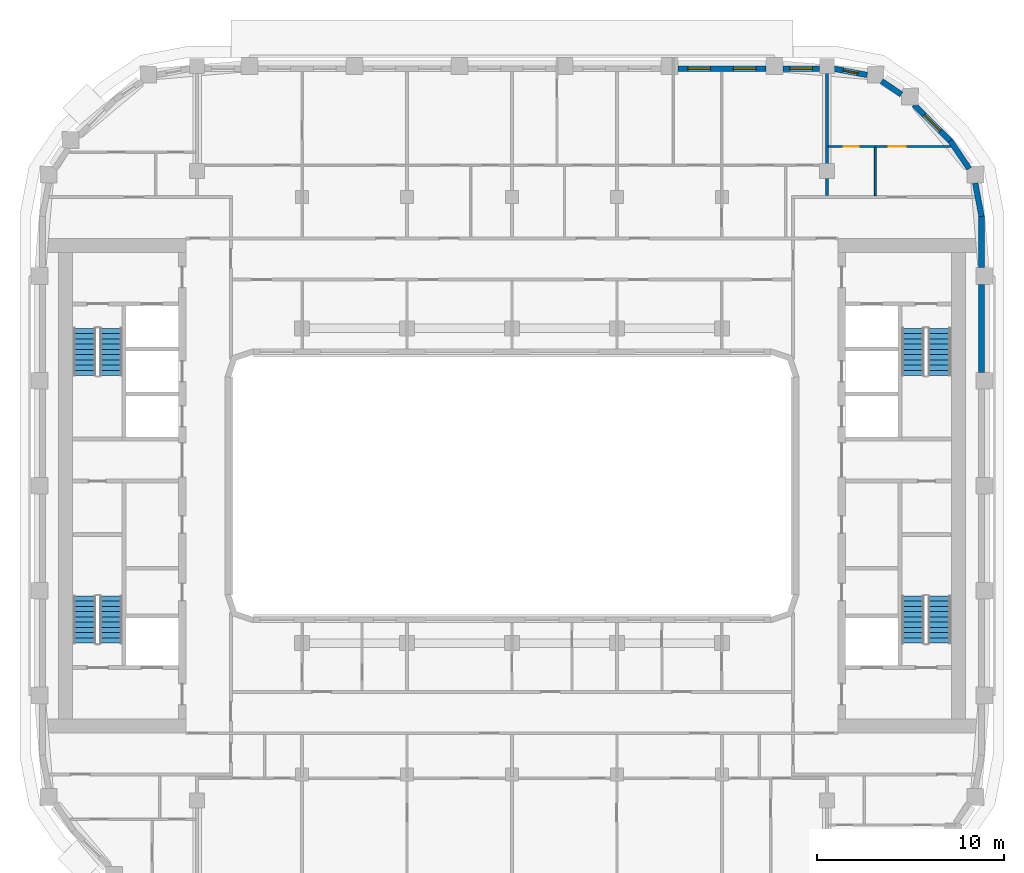
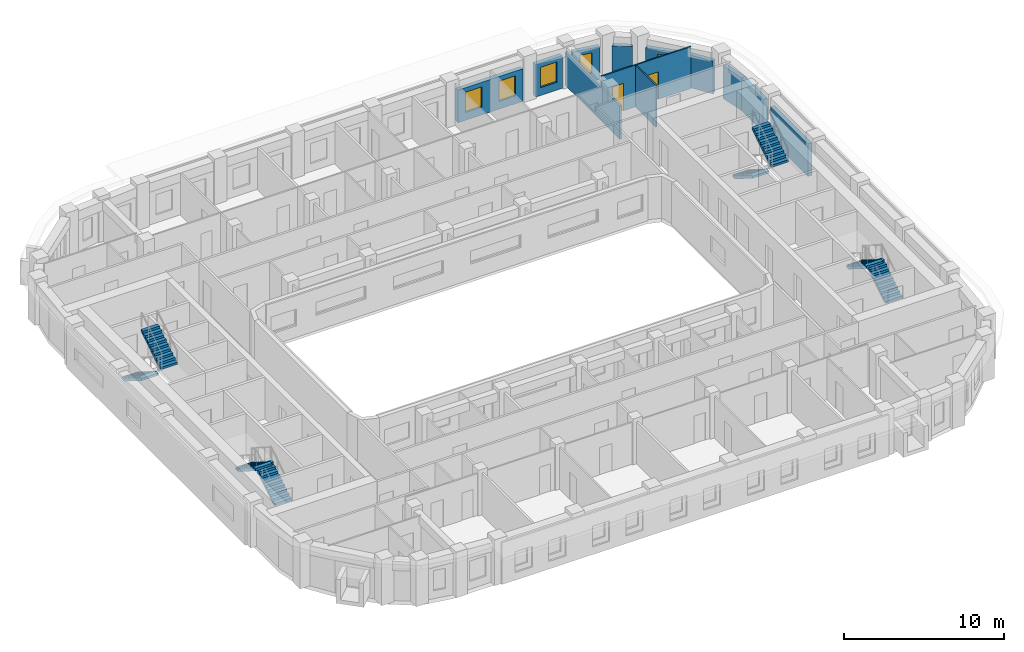
# One storey, part 9 of 21: 12 walls, 8 stair flights, 5 windows, 2 doors, 7 openings, 4 elements without a shape of their own.
"""IFC4 building model written with IfcOpenShell, lengths in metres."""

from ifc_helpers import new_model, si_unit, direction, frame, frame_2d, origin, place, context, subcontext, project, spatial, polyline, rectangle, outline, extrude, material, layer, layer_set, type_object, element, fill, aggregate, save


model = new_model("IFC4")

# Units and contexts
model_context = context("Model", 3, precision=1e-05, world=origin(), true_north=direction((0.0, 1.0)))
body_context = subcontext(model_context, "Body", "Model", "MODEL_VIEW")
ifc_project = project(units=[si_unit("LENGTHUNIT", "METRE"), si_unit("AREAUNIT", "SQUARE_METRE"), si_unit("VOLUMEUNIT", "CUBIC_METRE"), si_unit("PLANEANGLEUNIT", "RADIAN"), si_unit("MASSUNIT", "GRAM", prefix="KILO")], contexts=[model_context])

# Site, building, storey
site_placement = place(None, origin())
site = spatial("IfcSite", under=ifc_project, at=site_placement, CompositionType="ELEMENT")
building_placement = place(site_placement, origin())
building = spatial("IfcBuilding", under=site, at=building_placement, Name="Kiln Ring Residences", CompositionType="ELEMENT")
storey_placement = place(building_placement, frame((0.0, 0.0, 192.39990234375)))
storey = spatial("IfcBuildingStorey", under=building, at=storey_placement, Name="L49", CompositionType="ELEMENT", Elevation=192.39990234375)

# Walls
ifc_material_1 = material(Name="Brick masonry, dark clay brick", Category="masonry")
ifc_layer_1 = layer(ifc_material_1, 0.300048828125)
ifc_layer_set_1 = layer_set([ifc_layer_1], Name="EW-300 BRICK WALL")
wall_type_1 = type_object("IfcWallType", Name="EW-300 BRICK WALL", PredefinedType="SOLIDWALL", material=ifc_layer_set_1)
wall_1_placement = place(storey_placement, frame((25.050048828125, 6.050048828125, 0.0), z_axis=(0.0, 0.0, 1.0), x_axis=(0.0, 1.0, 0.0)))
element("IfcWall", 1, at=wall_1_placement, inside=storey, type_object=wall_type_1, Name="Facade wall L49 20", PredefinedType="SOLIDWALL", context=body_context, shape_type="SweptSolid", body=[
    extrude(rectangle(XDim=4.699951171875, YDim=0.300048828125, at=frame_2d((2.35009765625, 0.0))), origin(), (0.0, 0.0, 1.0), 2.5),
])
wall_2_placement = place(storey_placement, frame((25.050048828125, 11.64990234375, 0.0), z_axis=(0.0, 0.0, 1.0), x_axis=(0.0, 1.0, 0.0)))
element("IfcWall", 2, at=wall_2_placement, inside=storey, type_object=wall_type_1, Name="Facade wall L49 21", PredefinedType="SOLIDWALL", context=body_context, shape_type="SweptSolid", body=[
    extrude(rectangle(XDim=2.75, YDim=0.300048828125, at=frame_2d((1.375, 0.0))), origin(), (0.0, 0.0, 1.0), 2.5),
])
for number, where, z_axis, x_axis, name in (
    (3, (25.052734375, 14.371826171875, 0.0), (0.0, 0.0, 1.0), (-0.187348135549, 0.982293579388, 0.0), "Facade wall L49 22"),
    (4, (24.39404296875, 16.9189453125, 0.0), (0.0, 0.0, 1.0), (-0.562040093569, 0.827109988588, 0.0), "Facade wall L49 23"),
):
    element("IfcWall", number, at=place(storey_placement, frame(where, z_axis=z_axis, x_axis=x_axis)), inside=storey, type_object=wall_type_1, Name=name, PredefinedType="SOLIDWALL", context=body_context, shape_type="SweptSolid", body=[
        extrude(rectangle(XDim=1.80615234375, YDim=0.300048828125, at=frame_2d((0.903076171875, 0.0))), origin(), (0.0, 0.0, 1.0), 2.5),
    ])

# Wall, opening, window
wall_3_placement = place(storey_placement, frame((23.39697265625, 18.390869140625, 0.0), z_axis=(0.0, 0.0, 1.0), x_axis=(-0.707106781187, 0.707106781187, 0.0)))
wall_3 = element("IfcWall", 5, at=wall_3_placement, inside=storey, type_object=wall_type_1, Name="Facade wall L49 24", PredefinedType="SOLIDWALL", context=body_context, shape_type="SweptSolid", body=[
    extrude(rectangle(XDim=2.75, YDim=0.300048828125, at=frame_2d((1.375, 0.0))), origin(), (0.0, 0.0, 1.0), 2.5),
])
opening_1_placement = place(wall_3_placement, frame((0.77490234375, 0.0, 0.60009765625)))
opening_1 = element("IfcOpeningElement", 6, at=opening_1_placement, cuts=wall_3, Name="Opening W1", PredefinedType="OPENING", context=body_context, shape_type="SweptSolid", body=[
    extrude(rectangle(XDim=1.199951171875, YDim=1.550048828125, at=frame_2d((0.60009765625, 0.77490234375))), frame((0.0, 0.159912109375, 0.0), z_axis=(0.0, -1.0, 0.0), x_axis=(1.0, 0.0, 0.0)), (0.0, 0.0, 1.0), 0.320068359375),
])
ifc_material_2 = material(Name="Aluminium frame with double glazing", Category="aluminium")
window_type_1 = type_object("IfcWindowType", Name="WINDOW 1200 x 1550", PartitioningType="SINGLE_PANEL", PredefinedType="WINDOW", material=ifc_material_2)
window_1_placement = place(opening_1_placement, origin())
window_1 = element("IfcWindow", 7, at=window_1_placement, inside=storey, type_object=window_type_1, Name="Window L49 18", OverallHeight=1.550048828125, OverallWidth=1.199951171875, PartitioningType="SINGLE_PANEL", PredefinedType="WINDOW", context=body_context, shape_type="SweptSolid", body=[
    extrude(rectangle(XDim=1.199951171875, YDim=1.550048828125, at=frame_2d((0.60009765625, 0.77490234375))), frame((0.0, 0.030029296875, 0.0), z_axis=(0.0, -1.0, 0.0), x_axis=(1.0, 0.0, 0.0)), (0.0, 0.0, 1.0), 0.06005859375),
])
fill(opening_1, window_1)

# Wall
wall_4_placement = place(storey_placement, frame((20.775146484375, 20.876220703125, 0.0), z_axis=(0.0, 0.0, 1.0), x_axis=(-0.827075824828, 0.562090366388, 0.0)))
element("IfcWall", 8, at=wall_4_placement, inside=storey, type_object=wall_type_1, Name="Facade wall L49 25", PredefinedType="SOLIDWALL", context=body_context, shape_type="SweptSolid", body=[
    extrude(rectangle(XDim=1.27685546875, YDim=0.300048828125, at=frame_2d((0.638427734375, 0.0))), origin(), (0.0, 0.0, 1.0), 2.5),
])

# Wall, opening, window
wall_5_placement = place(storey_placement, frame((18.946044921875, 21.914306640625, 0.0), z_axis=(0.0, 0.0, 1.0), x_axis=(-0.98230529033, 0.187286722942, 0.0)))
wall_5 = element("IfcWall", 9, at=wall_5_placement, inside=storey, type_object=wall_type_1, Name="Facade wall L49 26", PredefinedType="SOLIDWALL", context=body_context, shape_type="SweptSolid", body=[
    extrude(rectangle(XDim=1.798828125, YDim=0.300048828125, at=frame_2d((0.8994140625, 0.0))), origin(), (0.0, 0.0, 1.0), 2.5),
])
opening_2_placement = place(wall_5_placement, frame((0.49951171875, 0.0, 0.60009765625)))
opening_2 = element("IfcOpeningElement", 10, at=opening_2_placement, cuts=wall_5, Name="Opening W5", PredefinedType="OPENING", context=body_context, shape_type="SweptSolid", body=[
    extrude(rectangle(XDim=0.800048828125, YDim=1.550048828125, at=frame_2d((0.39990234375, 0.77490234375))), frame((0.0, 0.159912109375, 0.0), z_axis=(0.0, -1.0, 0.0), x_axis=(1.0, 0.0, 0.0)), (0.0, 0.0, 1.0), 0.320068359375),
])
ifc_material_3 = material(Name="Aluminium frame with double glazing", Category="aluminium")
window_type_2 = type_object("IfcWindowType", Name="WINDOW 800 x 1550", PartitioningType="SINGLE_PANEL", PredefinedType="WINDOW", material=ifc_material_3)
window_2_placement = place(opening_2_placement, origin())
window_2 = element("IfcWindow", 11, at=window_2_placement, inside=storey, type_object=window_type_2, Name="Window L49 19", OverallHeight=1.550048828125, OverallWidth=0.800048828125, PartitioningType="SINGLE_PANEL", PredefinedType="WINDOW", context=body_context, shape_type="SweptSolid", body=[
    extrude(rectangle(XDim=0.800048828125, YDim=1.550048828125, at=frame_2d((0.39990234375, 0.77490234375))), frame((0.0, 0.030029296875, 0.0), z_axis=(0.0, -1.0, 0.0), x_axis=(1.0, 0.0, 0.0)), (0.0, 0.0, 1.0), 0.06005859375),
])
fill(opening_2, window_2)

wall_6_placement = place(storey_placement, frame((16.39990234375, 22.25, 0.0), z_axis=(0.0, 0.0, 1.0), x_axis=(-1.0, 0.0, 0.0)))
wall_6 = element("IfcWall", 12, at=wall_6_placement, inside=storey, type_object=wall_type_1, Name="Facade wall L49 27", PredefinedType="SOLIDWALL", context=body_context, shape_type="SweptSolid", body=[
    extrude(rectangle(XDim=1.949951171875, YDim=0.300048828125, at=frame_2d((0.97509765625, 0.0))), origin(), (0.0, 0.0, 1.0), 2.5),
])
opening_3_placement = place(wall_6_placement, frame((0.375, 0.0, 0.60009765625)))
opening_3 = element("IfcOpeningElement", 13, at=opening_3_placement, cuts=wall_6, Name="Opening W1", PredefinedType="OPENING", context=body_context, shape_type="SweptSolid", body=[
    extrude(rectangle(XDim=1.199951171875, YDim=1.550048828125, at=frame_2d((0.60009765625, 0.77490234375))), frame((0.0, 0.159912109375, 0.0), z_axis=(0.0, -1.0, 0.0), x_axis=(1.0, 0.0, 0.0)), (0.0, 0.0, 1.0), 0.320068359375),
])
window_3_placement = place(opening_3_placement, origin())
window_3 = element("IfcWindow", 14, at=window_3_placement, inside=storey, type_object=window_type_1, Name="Window L49 20", OverallHeight=1.550048828125, OverallWidth=1.199951171875, PartitioningType="SINGLE_PANEL", PredefinedType="WINDOW", context=body_context, shape_type="SweptSolid", body=[
    extrude(rectangle(XDim=1.199951171875, YDim=1.550048828125, at=frame_2d((0.60009765625, 0.77490234375))), frame((0.0, 0.030029296875, 0.0), z_axis=(0.0, -1.0, 0.0), x_axis=(1.0, 0.0, 0.0)), (0.0, 0.0, 1.0), 0.06005859375),
])
fill(opening_3, window_3)

# Wall, openings, windows
wall_7_placement = place(storey_placement, frame((13.550048828125, 22.25, 0.0), z_axis=(0.0, 0.0, 1.0), x_axis=(-1.0, 0.0, 0.0)))
wall_7 = element("IfcWall", 15, at=wall_7_placement, inside=storey, type_object=wall_type_1, Name="Facade wall L49 28", PredefinedType="SOLIDWALL", context=body_context, shape_type="SweptSolid", body=[
    extrude(rectangle(XDim=4.699951171875, YDim=0.300048828125, at=frame_2d((2.35009765625, 0.0))), origin(), (0.0, 0.0, 1.0), 2.5),
])
opening_4_placement = place(wall_7_placement, frame((0.53759765625, 0.0, 0.60009765625)))
opening_4 = element("IfcOpeningElement", 16, at=opening_4_placement, cuts=wall_7, Name="Opening W1", PredefinedType="OPENING", context=body_context, shape_type="SweptSolid", body=[
    extrude(rectangle(XDim=1.199951171875, YDim=1.550048828125, at=frame_2d((0.60009765625, 0.77490234375))), frame((0.0, 0.159912109375, 0.0), z_axis=(0.0, -1.0, 0.0), x_axis=(1.0, 0.0, 0.0)), (0.0, 0.0, 1.0), 0.320068359375),
])
opening_5_placement = place(wall_7_placement, frame((2.96240234375, 0.0, 0.60009765625)))
opening_5 = element("IfcOpeningElement", 17, at=opening_5_placement, cuts=wall_7, Name="Opening W1", PredefinedType="OPENING", context=body_context, shape_type="SweptSolid", body=[
    extrude(rectangle(XDim=1.199951171875, YDim=1.550048828125, at=frame_2d((0.60009765625, 0.77490234375))), frame((0.0, 0.159912109375, 0.0), z_axis=(0.0, -1.0, 0.0), x_axis=(1.0, 0.0, 0.0)), (0.0, 0.0, 1.0), 0.320068359375),
])
window_4_placement = place(opening_4_placement, origin())
window_4 = element("IfcWindow", 18, at=window_4_placement, inside=storey, type_object=window_type_1, Name="Window L49 21", OverallHeight=1.550048828125, OverallWidth=1.199951171875, PartitioningType="SINGLE_PANEL", PredefinedType="WINDOW", context=body_context, shape_type="SweptSolid", body=[
    extrude(rectangle(XDim=1.199951171875, YDim=1.550048828125, at=frame_2d((0.60009765625, 0.77490234375))), frame((0.0, 0.030029296875, 0.0), z_axis=(0.0, -1.0, 0.0), x_axis=(1.0, 0.0, 0.0)), (0.0, 0.0, 1.0), 0.06005859375),
])
fill(opening_4, window_4)
window_5_placement = place(opening_5_placement, origin())
window_5 = element("IfcWindow", 19, at=window_5_placement, inside=storey, type_object=window_type_1, Name="Window L49 22", OverallHeight=1.550048828125, OverallWidth=1.199951171875, PartitioningType="SINGLE_PANEL", PredefinedType="WINDOW", context=body_context, shape_type="SweptSolid", body=[
    extrude(rectangle(XDim=1.199951171875, YDim=1.550048828125, at=frame_2d((0.60009765625, 0.77490234375))), frame((0.0, 0.030029296875, 0.0), z_axis=(0.0, -1.0, 0.0), x_axis=(1.0, 0.0, 0.0)), (0.0, 0.0, 1.0), 0.06005859375),
])
fill(opening_5, window_5)

# Wall, openings, doors
ifc_material_4 = material(Name="Gypsum board on steel studs", Category="steel")
ifc_layer_2 = layer(ifc_material_4, 0.10009765625)
ifc_layer_set_2 = layer_set([ifc_layer_2], Name="PARTITION-100")
wall_type_2 = type_object("IfcWallType", Name="PARTITION-100", PredefinedType="PARTITIONING", material=ifc_layer_set_2)
wall_8_placement = place(storey_placement, frame((16.875, 18.10009765625, 0.0), z_axis=(0.0, 0.0, 1.0), x_axis=(1.0, 0.0, 0.0)))
wall_8 = element("IfcWall", 20, at=wall_8_placement, inside=storey, type_object=wall_type_2, Name="Partition 013", PredefinedType="PARTITIONING", context=body_context, shape_type="SweptSolid", body=[
    extrude(rectangle(XDim=6.51513671875, YDim=0.10009765625, at=frame_2d((3.257568359375, 0.0))), origin(), (0.0, 0.0, 1.0), 3.2001953125),
])
opening_6_placement = place(wall_8_placement, frame((0.824951171875, 0.0, 0.0)))
opening_6 = element("IfcOpeningElement", 21, at=opening_6_placement, cuts=wall_8, Name="Opening L49-D033", PredefinedType="OPENING", context=body_context, shape_type="SweptSolid", body=[
    extrude(rectangle(XDim=0.800048828125, YDim=2.10009765625, at=frame_2d((0.39990234375, 1.050048828125))), frame((0.0, 0.06005859375, 0.0), z_axis=(0.0, -1.0, 0.0), x_axis=(1.0, 0.0, 0.0)), (0.0, 0.0, 1.0), 0.1201171875),
])
opening_7_placement = place(wall_8_placement, frame((3.239013671875, 0.0, 0.0)))
opening_7 = element("IfcOpeningElement", 22, at=opening_7_placement, cuts=wall_8, Name="Opening L49-D034", PredefinedType="OPENING", context=body_context, shape_type="SweptSolid", body=[
    extrude(rectangle(XDim=0.89990234375, YDim=2.10009765625, at=frame_2d((0.449951171875, 1.050048828125))), frame((0.0, 0.06005859375, 0.0), z_axis=(0.0, -1.0, 0.0), x_axis=(1.0, 0.0, 0.0)), (0.0, 0.0, 1.0), 0.1201171875),
])
ifc_material_5 = material(Name="Timber door leaf", Category="wood")
door_type_1 = type_object("IfcDoorType", Name="FLAT-DOOR-800-PL", OperationType="SINGLE_SWING_LEFT", PredefinedType="DOOR", material=ifc_material_5)
door_1_placement = place(opening_6_placement, origin())
door_1 = element("IfcDoor", 23, at=door_1_placement, inside=storey, type_object=door_type_1, Name="Door L49-D033", OperationType="SINGLE_SWING_LEFT", OverallHeight=2.10009765625, OverallWidth=0.800048828125, PredefinedType="DOOR", context=body_context, shape_type="SweptSolid", body=[
    extrude(rectangle(XDim=0.800048828125, YDim=2.10009765625, at=frame_2d((0.39990234375, 1.050048828125))), frame((0.0, 0.02490234375, 0.0), z_axis=(0.0, -1.0, 0.0), x_axis=(1.0, 0.0, 0.0)), (0.0, 0.0, 1.0), 0.050048828125),
])
fill(opening_6, door_1)
ifc_material_6 = material(Name="Timber door leaf", Category="wood")
door_type_2 = type_object("IfcDoorType", Name="FLAT-DOOR-900-PL", OperationType="SINGLE_SWING_LEFT", PredefinedType="DOOR", material=ifc_material_6)
door_2_placement = place(opening_7_placement, origin())
door_2 = element("IfcDoor", 24, at=door_2_placement, inside=storey, type_object=door_type_2, Name="Door L49-D034", OperationType="SINGLE_SWING_RIGHT", OverallHeight=2.10009765625, OverallWidth=0.89990234375, PredefinedType="DOOR", context=body_context, shape_type="SweptSolid", body=[
    extrude(rectangle(XDim=0.89990234375, YDim=2.10009765625, at=frame_2d((0.449951171875, 1.050048828125))), frame((0.0, 0.02490234375, 0.0), z_axis=(0.0, -1.0, 0.0), x_axis=(1.0, 0.0, 0.0)), (0.0, 0.0, 1.0), 0.050048828125),
])
fill(opening_7, door_2)

# Walls
wall_9_placement = place(storey_placement, frame((19.389892578125, 15.47509765625, 0.0), z_axis=(0.0, 0.0, 1.0), x_axis=(0.0, 1.0, 0.0)))
element("IfcWall", 25, at=wall_9_placement, inside=storey, type_object=wall_type_2, Name="Partition 071", PredefinedType="PARTITIONING", context=body_context, shape_type="SweptSolid", body=[
    extrude(rectangle(XDim=2.574951171875, YDim=0.10009765625, at=frame_2d((1.28759765625, 0.0))), origin(), (0.0, 0.0, 1.0), 3.2001953125),
])
ifc_material_7 = material(Name="Brick masonry partition", Category="masonry")
ifc_layer_3 = layer(ifc_material_7, 0.14990234375)
ifc_layer_set_3 = layer_set([ifc_layer_3], Name="PARTITION-150-ei60")
wall_type_3 = type_object("IfcWallType", Name="PARTITION-150-ei60", PredefinedType="PARTITIONING", material=ifc_layer_set_3)
wall_10_placement = place(storey_placement, frame((16.800048828125, 15.47509765625, 0.0), z_axis=(0.0, 0.0, 1.0), x_axis=(0.0, 1.0, 0.0)))
element("IfcWall", 26, at=wall_10_placement, inside=storey, type_object=wall_type_3, Name="Partition 069", PredefinedType="PARTITIONING", context=body_context, shape_type="SweptSolid", body=[
    extrude(rectangle(XDim=6.8349609375, YDim=0.14990234375, at=frame_2d((3.41748046875, 0.0))), origin(), (0.0, 0.0, 1.0), 2.550048828125),
])

# Stair, stair flights
ifc_material_8 = material(Name="Concrete C40/50", Category="concrete")
stair_type = type_object("IfcStairType", Name="CORE-STAIR", PredefinedType="HALF_TURN_STAIR", material=ifc_material_8)
placement = place(storey_placement, origin())
stair_1 = element("IfcStair", 27, at=placement, inside=storey, type_object=stair_type, Name="L49 stair W-STN", PredefinedType="HALF_TURN_STAIR")
ifc_material_9 = material(Name="Concrete C40/50", Category="concrete")
stair_flight_type = type_object("IfcStairFlightType", Name="CORE-STAIR-FLIGHT", PredefinedType="STRAIGHT", material=ifc_material_9)
stair_flight_1_placement = place(storey_placement, frame((-22.800048828125, 8.39990234375, 0.0), z_axis=(0.0, 0.0, 1.0), x_axis=(0.0, -1.0, 0.0)))
stair_flight_1 = element("IfcStairFlight", 28, at=stair_flight_1_placement, type_object=stair_flight_type, Name="W-STN flight 1", NumberOfRisers=10, NumberOfTreads=9, PredefinedType="STRAIGHT", RiserHeight=0.175, TreadLength=0.28, context=body_context, shape_type="SweptSolid", body=[
    extrude(outline(polyline([(0.0, 0.0), (0.0, 0.175048828125), (0.280029296875, 0.175048828125), (0.280029296875, 0.35009765625), (0.56005859375, 0.35009765625), (0.56005859375, 0.52490234375), (0.840087890625, 0.52490234375), (0.840087890625, 0.699951171875), (1.1201171875, 0.699951171875), (1.1201171875, 0.875), (1.39990234375, 0.875), (1.39990234375, 1.050048828125), (1.679931640625, 1.050048828125), (1.679931640625, 1.22509765625), (1.9599609375, 1.22509765625), (1.9599609375, 1.39990234375), (2.239990234375, 1.39990234375), (2.239990234375, 1.574951171875), (2.52001953125, 1.574951171875), (2.52001953125, 1.75), (2.52001953125, 1.398193359375), (0.28271484375, 0.0), (0.0, 0.0)])), frame((0.0, 0.60009765625, 0.0), z_axis=(0.0, -1.0, 0.0), x_axis=(1.0, 0.0, 0.0)), (0.0, 0.0, 1.0), 1.199951171875),
])
stair_flight_2_placement = place(storey_placement, frame((-21.39990234375, 5.8798828125, 1.75), z_axis=(0.0, 0.0, 1.0), x_axis=(0.0, 1.0, 0.0)))
stair_flight_2 = element("IfcStairFlight", 29, at=stair_flight_2_placement, type_object=stair_flight_type, Name="W-STN flight 2", NumberOfRisers=10, NumberOfTreads=9, PredefinedType="STRAIGHT", RiserHeight=0.175, TreadLength=0.28, context=body_context, shape_type="SweptSolid", body=[
    extrude(outline(polyline([(0.0, 0.0), (0.0, 0.175048828125), (0.280029296875, 0.175048828125), (0.280029296875, 0.35009765625), (0.56005859375, 0.35009765625), (0.56005859375, 0.52490234375), (0.840087890625, 0.52490234375), (0.840087890625, 0.699951171875), (1.1201171875, 0.699951171875), (1.1201171875, 0.875), (1.39990234375, 0.875), (1.39990234375, 1.050048828125), (1.679931640625, 1.050048828125), (1.679931640625, 1.22509765625), (1.9599609375, 1.22509765625), (1.9599609375, 1.39990234375), (2.239990234375, 1.39990234375), (2.239990234375, 1.574951171875), (2.52001953125, 1.574951171875), (2.52001953125, 1.75), (2.52001953125, 1.398193359375), (0.28271484375, 0.0), (0.0, 0.0)])), frame((0.0, 0.60009765625, 0.0), z_axis=(0.0, -1.0, 0.0), x_axis=(1.0, 0.0, 0.0)), (0.0, 0.0, 1.0), 1.199951171875),
])
aggregate(stair_1, [stair_flight_1, stair_flight_2])

stair_2 = element("IfcStair", 30, at=placement, inside=storey, type_object=stair_type, Name="L49 stair W-STS", PredefinedType="HALF_TURN_STAIR")
stair_flight_3_placement = place(storey_placement, frame((-21.39990234375, -8.39990234375, 0.0), z_axis=(0.0, 0.0, 1.0), x_axis=(0.0, 1.0, 0.0)))
stair_flight_3 = element("IfcStairFlight", 31, at=stair_flight_3_placement, type_object=stair_flight_type, Name="W-STS flight 1", NumberOfRisers=10, NumberOfTreads=9, PredefinedType="STRAIGHT", RiserHeight=0.175, TreadLength=0.28, context=body_context, shape_type="SweptSolid", body=[
    extrude(outline(polyline([(0.0, 0.0), (0.0, 0.175048828125), (0.280029296875, 0.175048828125), (0.280029296875, 0.35009765625), (0.56005859375, 0.35009765625), (0.56005859375, 0.52490234375), (0.840087890625, 0.52490234375), (0.840087890625, 0.699951171875), (1.1201171875, 0.699951171875), (1.1201171875, 0.875), (1.39990234375, 0.875), (1.39990234375, 1.050048828125), (1.679931640625, 1.050048828125), (1.679931640625, 1.22509765625), (1.9599609375, 1.22509765625), (1.9599609375, 1.39990234375), (2.239990234375, 1.39990234375), (2.239990234375, 1.574951171875), (2.52001953125, 1.574951171875), (2.52001953125, 1.75), (2.52001953125, 1.398193359375), (0.28271484375, 0.0), (0.0, 0.0)])), frame((0.0, 0.60009765625, 0.0), z_axis=(0.0, -1.0, 0.0), x_axis=(1.0, 0.0, 0.0)), (0.0, 0.0, 1.0), 1.199951171875),
])
stair_flight_4_placement = place(storey_placement, frame((-22.800048828125, -5.8798828125, 1.75), z_axis=(0.0, 0.0, 1.0), x_axis=(0.0, -1.0, 0.0)))
stair_flight_4 = element("IfcStairFlight", 32, at=stair_flight_4_placement, type_object=stair_flight_type, Name="W-STS flight 2", NumberOfRisers=10, NumberOfTreads=9, PredefinedType="STRAIGHT", RiserHeight=0.175, TreadLength=0.28, context=body_context, shape_type="SweptSolid", body=[
    extrude(outline(polyline([(0.0, 0.0), (0.0, 0.175048828125), (0.280029296875, 0.175048828125), (0.280029296875, 0.35009765625), (0.56005859375, 0.35009765625), (0.56005859375, 0.52490234375), (0.840087890625, 0.52490234375), (0.840087890625, 0.699951171875), (1.1201171875, 0.699951171875), (1.1201171875, 0.875), (1.39990234375, 0.875), (1.39990234375, 1.050048828125), (1.679931640625, 1.050048828125), (1.679931640625, 1.22509765625), (1.9599609375, 1.22509765625), (1.9599609375, 1.39990234375), (2.239990234375, 1.39990234375), (2.239990234375, 1.574951171875), (2.52001953125, 1.574951171875), (2.52001953125, 1.75), (2.52001953125, 1.398193359375), (0.28271484375, 0.0), (0.0, 0.0)])), frame((0.0, 0.60009765625, 0.0), z_axis=(0.0, -1.0, 0.0), x_axis=(1.0, 0.0, 0.0)), (0.0, 0.0, 1.0), 1.199951171875),
])
aggregate(stair_2, [stair_flight_3, stair_flight_4])

stair_3 = element("IfcStair", 33, at=placement, inside=storey, type_object=stair_type, Name="L49 stair E-STN", PredefinedType="HALF_TURN_STAIR")
stair_flight_5_placement = place(storey_placement, frame((21.39990234375, 8.39990234375, 0.0), z_axis=(0.0, 0.0, 1.0), x_axis=(0.0, -1.0, 0.0)))
stair_flight_5 = element("IfcStairFlight", 34, at=stair_flight_5_placement, type_object=stair_flight_type, Name="E-STN flight 1", NumberOfRisers=10, NumberOfTreads=9, PredefinedType="STRAIGHT", RiserHeight=0.175, TreadLength=0.28, context=body_context, shape_type="SweptSolid", body=[
    extrude(outline(polyline([(0.0, 0.0), (0.0, 0.175048828125), (0.280029296875, 0.175048828125), (0.280029296875, 0.35009765625), (0.56005859375, 0.35009765625), (0.56005859375, 0.52490234375), (0.840087890625, 0.52490234375), (0.840087890625, 0.699951171875), (1.1201171875, 0.699951171875), (1.1201171875, 0.875), (1.39990234375, 0.875), (1.39990234375, 1.050048828125), (1.679931640625, 1.050048828125), (1.679931640625, 1.22509765625), (1.9599609375, 1.22509765625), (1.9599609375, 1.39990234375), (2.239990234375, 1.39990234375), (2.239990234375, 1.574951171875), (2.52001953125, 1.574951171875), (2.52001953125, 1.75), (2.52001953125, 1.398193359375), (0.28271484375, 0.0), (0.0, 0.0)])), frame((0.0, 0.60009765625, 0.0), z_axis=(0.0, -1.0, 0.0), x_axis=(1.0, 0.0, 0.0)), (0.0, 0.0, 1.0), 1.199951171875),
])
stair_flight_6_placement = place(storey_placement, frame((22.800048828125, 5.8798828125, 1.75), z_axis=(0.0, 0.0, 1.0), x_axis=(0.0, 1.0, 0.0)))
stair_flight_6 = element("IfcStairFlight", 35, at=stair_flight_6_placement, type_object=stair_flight_type, Name="E-STN flight 2", NumberOfRisers=10, NumberOfTreads=9, PredefinedType="STRAIGHT", RiserHeight=0.175, TreadLength=0.28, context=body_context, shape_type="SweptSolid", body=[
    extrude(outline(polyline([(0.0, 0.0), (0.0, 0.175048828125), (0.280029296875, 0.175048828125), (0.280029296875, 0.35009765625), (0.56005859375, 0.35009765625), (0.56005859375, 0.52490234375), (0.840087890625, 0.52490234375), (0.840087890625, 0.699951171875), (1.1201171875, 0.699951171875), (1.1201171875, 0.875), (1.39990234375, 0.875), (1.39990234375, 1.050048828125), (1.679931640625, 1.050048828125), (1.679931640625, 1.22509765625), (1.9599609375, 1.22509765625), (1.9599609375, 1.39990234375), (2.239990234375, 1.39990234375), (2.239990234375, 1.574951171875), (2.52001953125, 1.574951171875), (2.52001953125, 1.75), (2.52001953125, 1.398193359375), (0.28271484375, 0.0), (0.0, 0.0)])), frame((0.0, 0.60009765625, 0.0), z_axis=(0.0, -1.0, 0.0), x_axis=(1.0, 0.0, 0.0)), (0.0, 0.0, 1.0), 1.199951171875),
])
aggregate(stair_3, [stair_flight_5, stair_flight_6])

stair_4 = element("IfcStair", 36, at=placement, inside=storey, type_object=stair_type, Name="L49 stair E-STS", PredefinedType="HALF_TURN_STAIR")
stair_flight_7_placement = place(storey_placement, frame((22.800048828125, -8.39990234375, 0.0), z_axis=(0.0, 0.0, 1.0), x_axis=(0.0, 1.0, 0.0)))
stair_flight_7 = element("IfcStairFlight", 37, at=stair_flight_7_placement, type_object=stair_flight_type, Name="E-STS flight 1", NumberOfRisers=10, NumberOfTreads=9, PredefinedType="STRAIGHT", RiserHeight=0.175, TreadLength=0.28, context=body_context, shape_type="SweptSolid", body=[
    extrude(outline(polyline([(0.0, 0.0), (0.0, 0.175048828125), (0.280029296875, 0.175048828125), (0.280029296875, 0.35009765625), (0.56005859375, 0.35009765625), (0.56005859375, 0.52490234375), (0.840087890625, 0.52490234375), (0.840087890625, 0.699951171875), (1.1201171875, 0.699951171875), (1.1201171875, 0.875), (1.39990234375, 0.875), (1.39990234375, 1.050048828125), (1.679931640625, 1.050048828125), (1.679931640625, 1.22509765625), (1.9599609375, 1.22509765625), (1.9599609375, 1.39990234375), (2.239990234375, 1.39990234375), (2.239990234375, 1.574951171875), (2.52001953125, 1.574951171875), (2.52001953125, 1.75), (2.52001953125, 1.398193359375), (0.28271484375, 0.0), (0.0, 0.0)])), frame((0.0, 0.60009765625, 0.0), z_axis=(0.0, -1.0, 0.0), x_axis=(1.0, 0.0, 0.0)), (0.0, 0.0, 1.0), 1.199951171875),
])
stair_flight_8_placement = place(storey_placement, frame((21.39990234375, -5.8798828125, 1.75), z_axis=(0.0, 0.0, 1.0), x_axis=(0.0, -1.0, 0.0)))
stair_flight_8 = element("IfcStairFlight", 38, at=stair_flight_8_placement, type_object=stair_flight_type, Name="E-STS flight 2", NumberOfRisers=10, NumberOfTreads=9, PredefinedType="STRAIGHT", RiserHeight=0.175, TreadLength=0.28, context=body_context, shape_type="SweptSolid", body=[
    extrude(outline(polyline([(0.0, 0.0), (0.0, 0.175048828125), (0.280029296875, 0.175048828125), (0.280029296875, 0.35009765625), (0.56005859375, 0.35009765625), (0.56005859375, 0.52490234375), (0.840087890625, 0.52490234375), (0.840087890625, 0.699951171875), (1.1201171875, 0.699951171875), (1.1201171875, 0.875), (1.39990234375, 0.875), (1.39990234375, 1.050048828125), (1.679931640625, 1.050048828125), (1.679931640625, 1.22509765625), (1.9599609375, 1.22509765625), (1.9599609375, 1.39990234375), (2.239990234375, 1.39990234375), (2.239990234375, 1.574951171875), (2.52001953125, 1.574951171875), (2.52001953125, 1.75), (2.52001953125, 1.398193359375), (0.28271484375, 0.0), (0.0, 0.0)])), frame((0.0, 0.60009765625, 0.0), z_axis=(0.0, -1.0, 0.0), x_axis=(1.0, 0.0, 0.0)), (0.0, 0.0, 1.0), 1.199951171875),
])
aggregate(stair_4, [stair_flight_7, stair_flight_8])

save(model, "model.ifc")
